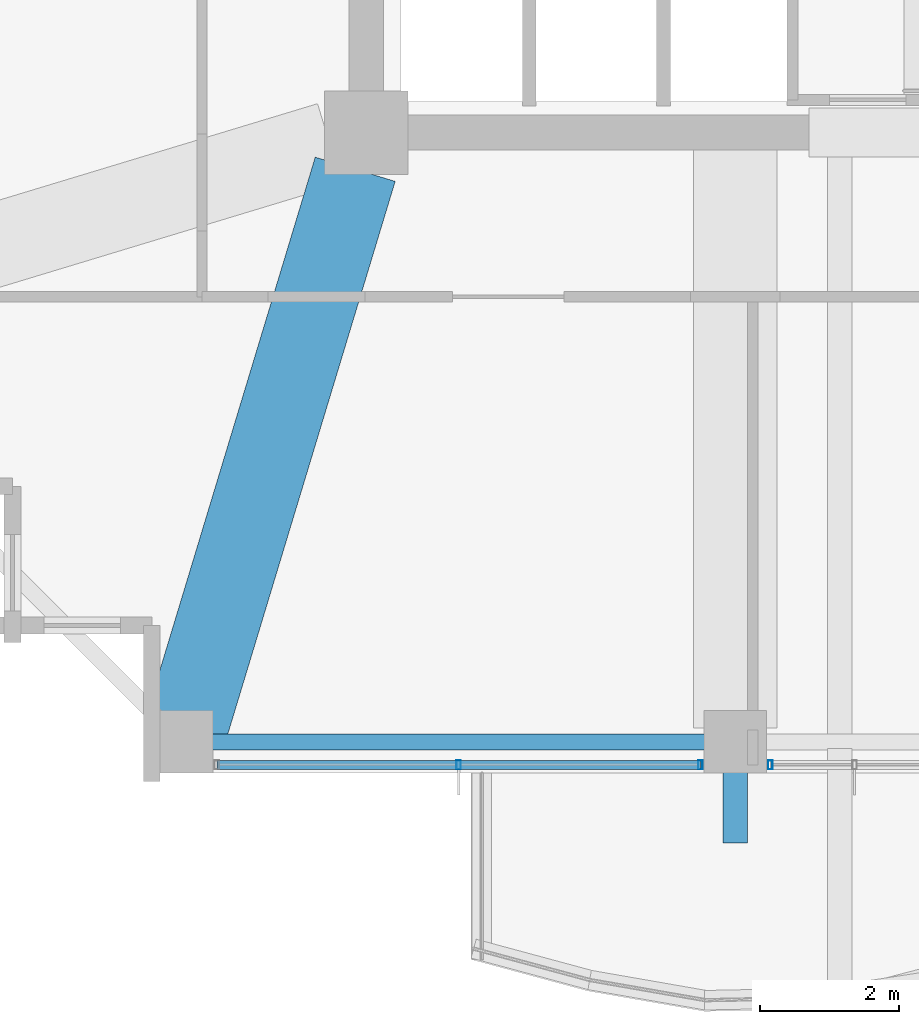
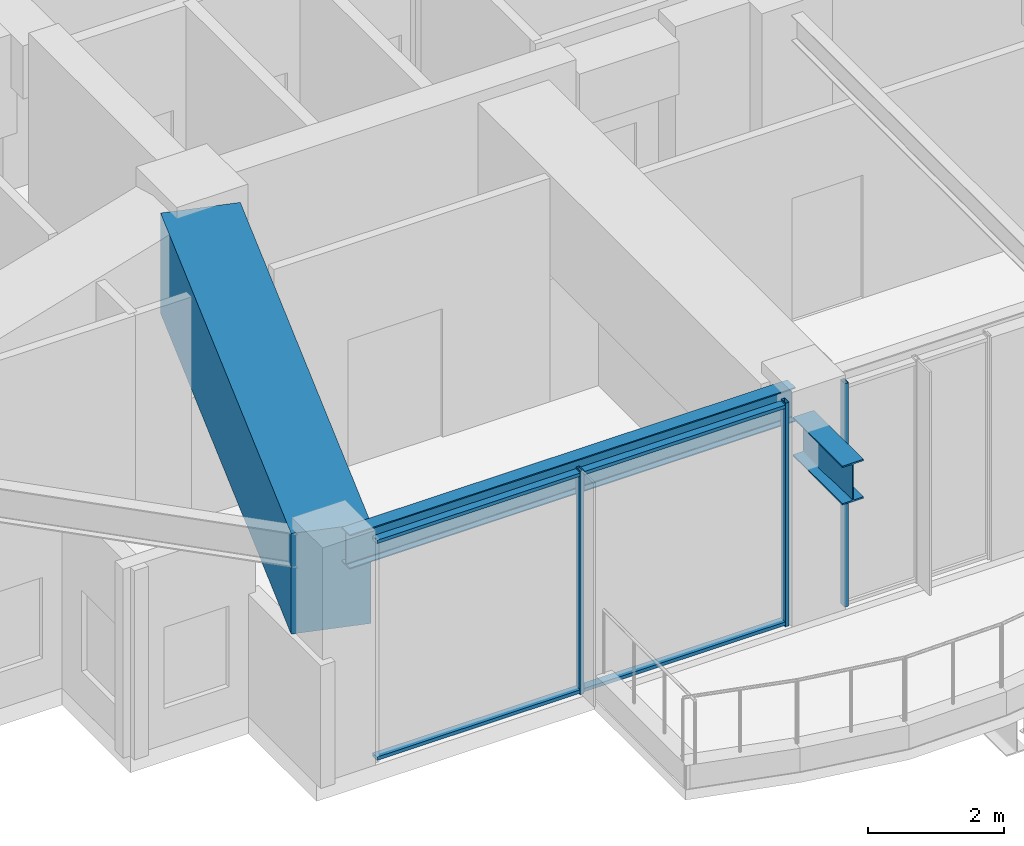
# One storey, part 3 of 33: 5 members, 3 beams, 2 elements without a shape of their own.
"""IFC4 building model written with IfcOpenShell, lengths in metres."""

from ifc_helpers import new_model, si_unit, direction, frame, origin, origin_2d, place, context, subcontext, project, spatial, rectangle, hollow_rectangle, i_section, extrude, material, material_profile, profile_set, type_object, element, aggregate, save


model = new_model("IFC4")

# Units and contexts
model_context = context("Model", 3, precision=1e-05, world=origin(), true_north=direction((0.0, 1.0)))
body_context = subcontext(model_context, "Body", "Model", "MODEL_VIEW")
ifc_project = project(units=[si_unit("LENGTHUNIT", "METRE"), si_unit("AREAUNIT", "SQUARE_METRE"), si_unit("VOLUMEUNIT", "CUBIC_METRE"), si_unit("PLANEANGLEUNIT", "RADIAN"), si_unit("MASSUNIT", "GRAM", prefix="KILO")], contexts=[model_context])

# Site, building, storey
site_placement = place(None, origin())
site = spatial("IfcSite", under=ifc_project, at=site_placement, CompositionType="ELEMENT")
building_placement = place(site_placement, origin())
building = spatial("IfcBuilding", under=site, at=building_placement, Name="Kolvaren Belvedere", CompositionType="ELEMENT")
storey_placement = place(building_placement, frame((0.0, 0.0, 152.699951171875)))
storey = spatial("IfcBuildingStorey", under=building, at=storey_placement, Name="L44", CompositionType="ELEMENT", Elevation=152.699951171875)

# Beams
ifc_material_1 = material(Name="Structural steel ASTM A992 Grade 50", Category="steel")
ifc_material_profile_1 = material_profile(ifc_material_1, i_section(OverallWidth=0.35498046875, OverallDepth=0.696044921875, WebThickness=0.015380859375, FlangeThickness=0.02490234375, FilletRadius=0.02197265625, at=origin_2d()), Name="W27X146")
ifc_profile_set_1 = profile_set([ifc_material_profile_1], Name="Structural steel ASTM A992 Grade 50")
beam_type_1 = type_object("IfcBeamType", Name="BM-CANT-BAL", PredefinedType="BEAM", material=ifc_profile_set_1)
beam_1_placement = place(storey_placement, frame((-4.60009765625, -18.64990234375, 3.0419921875), z_axis=(0.0, -1.0, 0.0), x_axis=(1.0, 0.0, 0.0)))
element("IfcBeam", 1, at=beam_1_placement, inside=storey, type_object=beam_type_1, Name="L44 South Picture-Frame Column Corbel M", PredefinedType="BEAM", context=body_context, shape_type="SweptSolid", body=[
    extrude(i_section(OverallWidth=0.35498046875, OverallDepth=0.696044921875, WebThickness=0.015380859375, FlangeThickness=0.02490234375, FilletRadius=0.02197265625, at=origin_2d()), origin(), (0.0, 0.0, 1.0), 1.4501953125),
])
ifc_material_2 = material(Name="Structural steel ASTM A992 Grade 50", Category="steel")
ifc_material_profile_2 = material_profile(ifc_material_2, i_section(OverallWidth=0.22900390625, OverallDepth=0.612060546875, WebThickness=0.011962890625, FlangeThickness=0.01953125, FilletRadius=0.01806640625, at=origin_2d()), Name="W24X84")
ifc_profile_set_2 = profile_set([ifc_material_profile_2], Name="Structural steel ASTM A992 Grade 50")
beam_type_2 = type_object("IfcBeamType", Name="BM-SPAN-W24X84", PredefinedType="SPANDREL", material=ifc_profile_set_2)
beam_2_placement = place(storey_placement, frame((-12.347412109375, -18.64990234375, 3.694091796875), z_axis=(1.0, 0.0, 0.0), x_axis=(0.0, 1.0, 0.0)))
element("IfcBeam", 2, at=beam_2_placement, inside=storey, type_object=beam_type_2, Name="L44 Perimeter Spandrel S1-S2", PredefinedType="SPANDREL", context=body_context, shape_type="SweptSolid", body=[
    extrude(i_section(OverallWidth=0.22900390625, OverallDepth=0.612060546875, WebThickness=0.011962890625, FlangeThickness=0.01953125, FilletRadius=0.01806640625, at=origin_2d()), origin(), (0.0, 0.0, 1.0), 7.544921875),
])
ifc_material_3 = material(Name="Concrete C50/60", Category="concrete")
ifc_material_profile_3 = material_profile(ifc_material_3, rectangle(XDim=1.199951171875, YDim=1.800048828125, at=origin_2d()), Name="RC 1200X1800")
ifc_profile_set_3 = profile_set([ifc_material_profile_3], Name="Concrete C50/60")
beam_type_3 = type_object("IfcBeamType", Name="BM-TG-1800", PredefinedType="BEAM", material=ifc_profile_set_3)
beam_3_placement = place(storey_placement, frame((-10.059326171875, -10.426513671875, 3.10009765625), z_axis=(-0.289865629086, -0.957067352423, 0.0), x_axis=(0.957067352423, -0.289865629086, 0.0)))
element("IfcBeam", 3, at=beam_3_placement, inside=storey, type_object=beam_type_3, Name="L44 Corner Core-to-Perimeter Girder CC1-S1", PredefinedType="BEAM", context=body_context, shape_type="SweptSolid", body=[
    extrude(rectangle(XDim=1.199951171875, YDim=1.800048828125, at=origin_2d()), origin(), (0.0, 0.0, 1.0), 8.412353515625),
])

# Curtain wall, member
ifc_material_4 = material(Name="Anodised pale-metal aluminium AA 6063-T6", Category="aluminium")
curtain_wall_type = type_object("IfcCurtainWallType", Name="CW-Z3-WAIST", PredefinedType="NOTDEFINED", material=ifc_material_4)
curtain_wall_1_placement = place(storey_placement, origin())
curtain_wall_1 = element("IfcCurtainWall", 4, at=curtain_wall_1_placement, inside=storey, type_object=curtain_wall_type, Name="L44 Unitised Curtain Wall FCW-L44-S2-B1", PredefinedType="NOTDEFINED")
ifc_material_5 = material(Name="Anodised pale-metal aluminium AA 6063-T6", Category="aluminium")
ifc_material_profile_4 = material_profile(ifc_material_5, hollow_rectangle(XDim=0.06494140625, YDim=0.1298828125, WallThickness=0.00390625, at=origin_2d()), Name="ALU-MUL-130X65")
ifc_profile_set_4 = profile_set([ifc_material_profile_4], Name="Anodised pale-metal aluminium AA 6063-T6")
member_type_1 = type_object("IfcMemberType", Name="CW-MUL-130", PredefinedType="MULLION", material=ifc_profile_set_4)
member_1_placement = place(storey_placement, frame((-4.097412109375, -18.97998046875, 0.0), z_axis=(0.0, 0.0, 1.0), x_axis=(1.0, 0.0, 0.0)))
member_1 = element("IfcMember", 5, at=member_1_placement, type_object=member_type_1, Name="FCW-L44-S2-B1 Unitised Mullion 3", PredefinedType="MULLION", context=body_context, shape_type="SweptSolid", body=[
    extrude(hollow_rectangle(XDim=0.06494140625, YDim=0.1298828125, WallThickness=0.00390625, at=origin_2d()), origin(), (0.0, 0.0, 1.0), 4.0),
])
aggregate(curtain_wall_1, [member_1])

# Curtain wall, members
curtain_wall_2_placement = place(storey_placement, origin())
curtain_wall_2 = element("IfcCurtainWall", 6, at=curtain_wall_2_placement, inside=storey, type_object=curtain_wall_type, Name="L44 Unitised Curtain Wall FCW-L44-S2-B2", PredefinedType="NOTDEFINED")
member_2_placement = place(storey_placement, frame((-5.1025390625, -18.97998046875, 0.0), z_axis=(0.0, 0.0, 1.0), x_axis=(1.0, 0.0, 0.0)))
member_2 = element("IfcMember", 7, at=member_2_placement, type_object=member_type_1, Name="FCW-L44-S2-B2 Unitised Mullion 1", PredefinedType="MULLION", context=body_context, shape_type="SweptSolid", body=[
    extrude(hollow_rectangle(XDim=0.06494140625, YDim=0.1298828125, WallThickness=0.00390625, at=origin_2d()), origin(), (0.0, 0.0, 1.0), 4.0),
])
member_3_placement = place(storey_placement, frame((-8.574951171875, -18.97998046875, 0.0), z_axis=(0.0, 0.0, 1.0), x_axis=(1.0, 0.0, 0.0)))
member_3 = element("IfcMember", 8, at=member_3_placement, type_object=member_type_1, Name="FCW-L44-S2-B2 Unitised Mullion 2", PredefinedType="MULLION", context=body_context, shape_type="SweptSolid", body=[
    extrude(hollow_rectangle(XDim=0.06494140625, YDim=0.1298828125, WallThickness=0.00390625, at=origin_2d()), origin(), (0.0, 0.0, 1.0), 4.0),
])
ifc_material_6 = material(Name="Anodised pale-metal aluminium AA 6063-T6", Category="aluminium")
ifc_material_profile_5 = material_profile(ifc_material_6, hollow_rectangle(XDim=0.06005859375, YDim=0.1298828125, WallThickness=0.00390625, at=origin_2d()), Name="ALU-TRN-130X60")
ifc_profile_set_5 = profile_set([ifc_material_profile_5], Name="Anodised pale-metal aluminium AA 6063-T6")
member_type_2 = type_object("IfcMemberType", Name="CW-TRN-130", PredefinedType="USERDEFINED", material=ifc_profile_set_5)
member_4_placement = place(storey_placement, frame((-5.1025390625, -18.97998046875, 0.06005859375), z_axis=(-1.0, 0.0, 0.0), x_axis=(0.0, 0.0, 1.0)))
member_4 = element("IfcMember", 9, at=member_4_placement, type_object=member_type_2, Name="FCW-L44-S2-B2 Sill Transom", ObjectType="TRANSOM", PredefinedType="USERDEFINED", context=body_context, shape_type="SweptSolid", body=[
    extrude(hollow_rectangle(XDim=0.06005859375, YDim=0.1298828125, WallThickness=0.00390625, at=origin_2d()), origin(), (0.0, 0.0, 1.0), 6.945068359375),
])
member_5_placement = place(storey_placement, frame((-5.1025390625, -18.97998046875, 3.93994140625), z_axis=(-1.0, 0.0, 0.0), x_axis=(0.0, 0.0, 1.0)))
member_5 = element("IfcMember", 10, at=member_5_placement, type_object=member_type_2, Name="FCW-L44-S2-B2 Head Transom", ObjectType="TRANSOM", PredefinedType="USERDEFINED", context=body_context, shape_type="SweptSolid", body=[
    extrude(hollow_rectangle(XDim=0.06005859375, YDim=0.1298828125, WallThickness=0.00390625, at=origin_2d()), origin(), (0.0, 0.0, 1.0), 6.945068359375),
])
aggregate(curtain_wall_2, [member_2, member_3, member_4, member_5])

save(model, "model.ifc")
